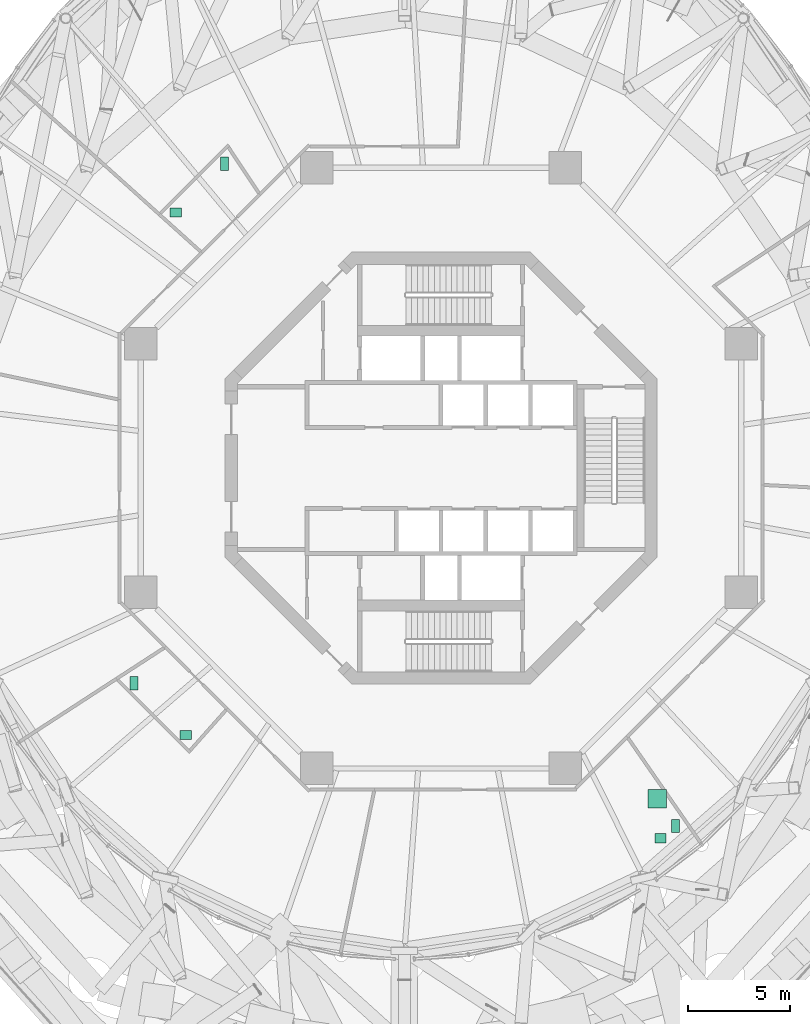
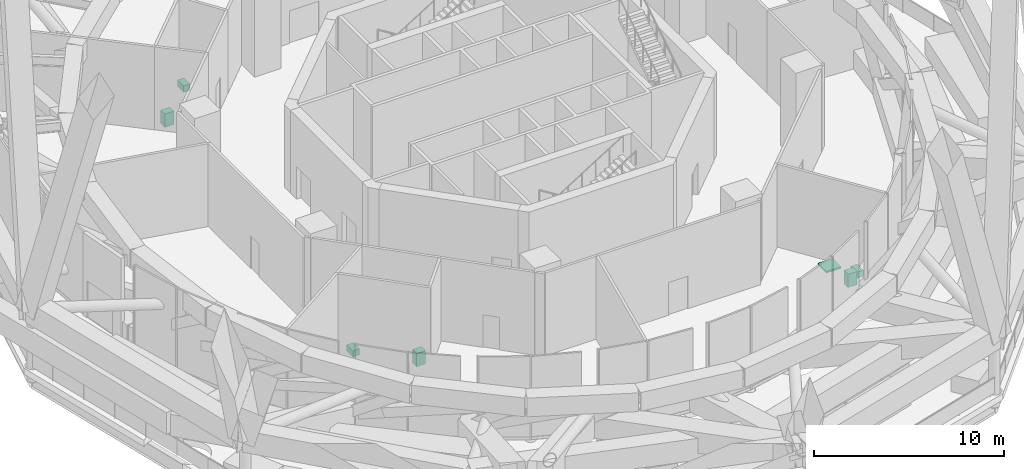
# One storey, part 48 of 48: 7 sanitary terminals.
"""IFC4 building model written with IfcOpenShell, lengths in metres."""

from ifc_helpers import new_model, si_unit, direction, frame, origin, origin_2d, place, context, subcontext, project, spatial, rectangle, extrude, material, type_object, element, save


model = new_model("IFC4")

# Units and contexts
model_context = context("Model", 3, precision=1e-05, world=origin(), true_north=direction((0.0, 1.0)))
body_context = subcontext(model_context, "Body", "Model", "MODEL_VIEW")
ifc_project = project(units=[si_unit("LENGTHUNIT", "METRE"), si_unit("AREAUNIT", "SQUARE_METRE"), si_unit("VOLUMEUNIT", "CUBIC_METRE"), si_unit("PLANEANGLEUNIT", "RADIAN"), si_unit("MASSUNIT", "GRAM", prefix="KILO")], contexts=[model_context])

# Site, building, storey
site_placement = place(None, origin())
site = spatial("IfcSite", under=ifc_project, at=site_placement, CompositionType="ELEMENT")
building_placement = place(site_placement, origin())
building = spatial("IfcBuilding", under=site, at=building_placement, Name="Nagisa Residences", CompositionType="ELEMENT")
storey_placement = place(building_placement, frame((0.0, 0.0, 252.89990234375)))
storey = spatial("IfcBuildingStorey", under=building, at=storey_placement, Name="L64", CompositionType="ELEMENT", Elevation=252.89990234375)

# Sanitary terminals
ifc_material_1 = material(Name="Acrylic")
sanitary_terminal_type_1 = type_object("IfcSanitaryTerminalType", Name="Shower tray", PredefinedType="SHOWER", material=ifc_material_1)
sanitary_terminal_placement = place(storey_placement, frame((10.64306640625, -16.26806640625, 0.0), z_axis=(0.0, 0.0, 1.0), x_axis=(1.0, 0.0, 0.0)))
element("IfcSanitaryTerminal", 1, at=sanitary_terminal_placement, inside=storey, type_object=sanitary_terminal_type_1, Name="fix:L64:r5:shower", PredefinedType="SHOWER", context=body_context, shape_type="SweptSolid", body=[
    extrude(rectangle(XDim=0.89990234375, YDim=0.89990234375, at=origin_2d()), origin(), (0.0, 0.0, 1.0), 0.10009765625),
])
ifc_material_2 = material(Name="Vitreous china")
sanitary_terminal_type_2 = type_object("IfcSanitaryTerminalType", Name="WC pan", PredefinedType="WCSEAT", material=ifc_material_2)
for number, where, z_axis, x_axis, name in (
    (2, (-10.656005859375, 14.97412109375, 0.000244140625), (0.0, 0.0, 1.0), (1.0, 0.0, 0.0), "fix:L64:r1t5p0:wc"),
    (3, (-15.10791015625, -10.592041015625, 0.000244140625), (0.0, 0.0, 1.0), (1.0, 0.0, 0.0), "fix:L64:r4t10p0:wc"),
    (4, (11.54296875, -17.617919921875, 0.000244140625), (0.0, 0.0, 1.0), (1.0, 0.0, 0.0), "fix:L64:r5:wc"),
):
    element("IfcSanitaryTerminal", number, at=place(storey_placement, frame(where, z_axis=z_axis, x_axis=x_axis)), inside=storey, type_object=sanitary_terminal_type_2, Name=name, PredefinedType="WCSEAT", context=body_context, shape_type="SweptSolid", body=[
        extrude(rectangle(XDim=0.39990234375, YDim=0.64990234375, at=origin_2d()), origin(), (0.0, 0.0, 1.0), 0.39990234375),
    ])
ifc_material_3 = material(Name="Vitreous china")
sanitary_terminal_type_3 = type_object("IfcSanitaryTerminalType", Name="Wash basin", PredefinedType="WASHHANDBASIN", material=ifc_material_3)
for number, where, z_axis, x_axis, name in (
    (5, (-13.055908203125, 12.573974609375, 0.0), (0.0, 0.0, 1.0), (1.0, 0.0, 0.0), "fix:L64:r1t5p0:basin"),
    (6, (-12.55810546875, -13.14208984375, 0.0), (0.0, 0.0, 1.0), (1.0, 0.0, 0.0), "fix:L64:r4t10p0:basin"),
    (7, (10.79296875, -18.218017578125, 0.0), (0.0, 0.0, 1.0), (1.0, 0.0, 0.0), "fix:L64:r5:basin"),
):
    element("IfcSanitaryTerminal", number, at=place(storey_placement, frame(where, z_axis=z_axis, x_axis=x_axis)), inside=storey, type_object=sanitary_terminal_type_3, Name=name, PredefinedType="WASHHANDBASIN", context=body_context, shape_type="SweptSolid", body=[
        extrude(rectangle(XDim=0.550048828125, YDim=0.449951171875, at=origin_2d()), origin(), (0.0, 0.0, 1.0), 0.85009765625),
    ])

save(model, "model.ifc")
